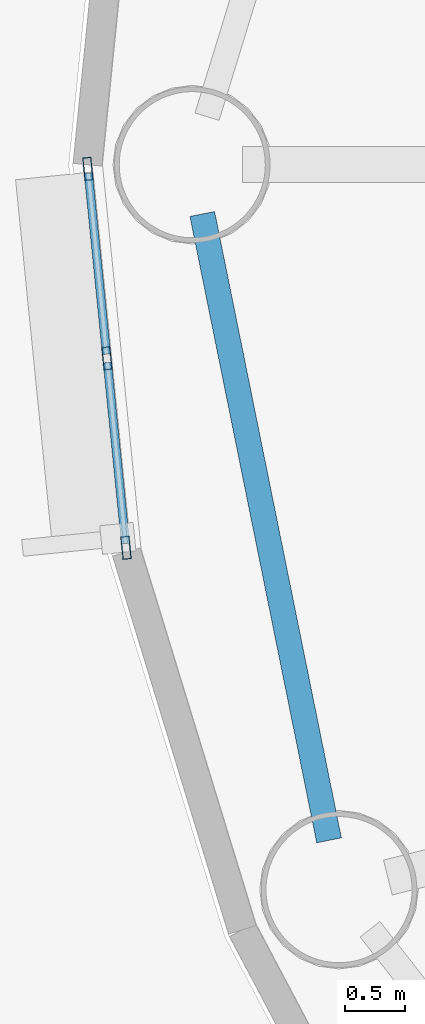
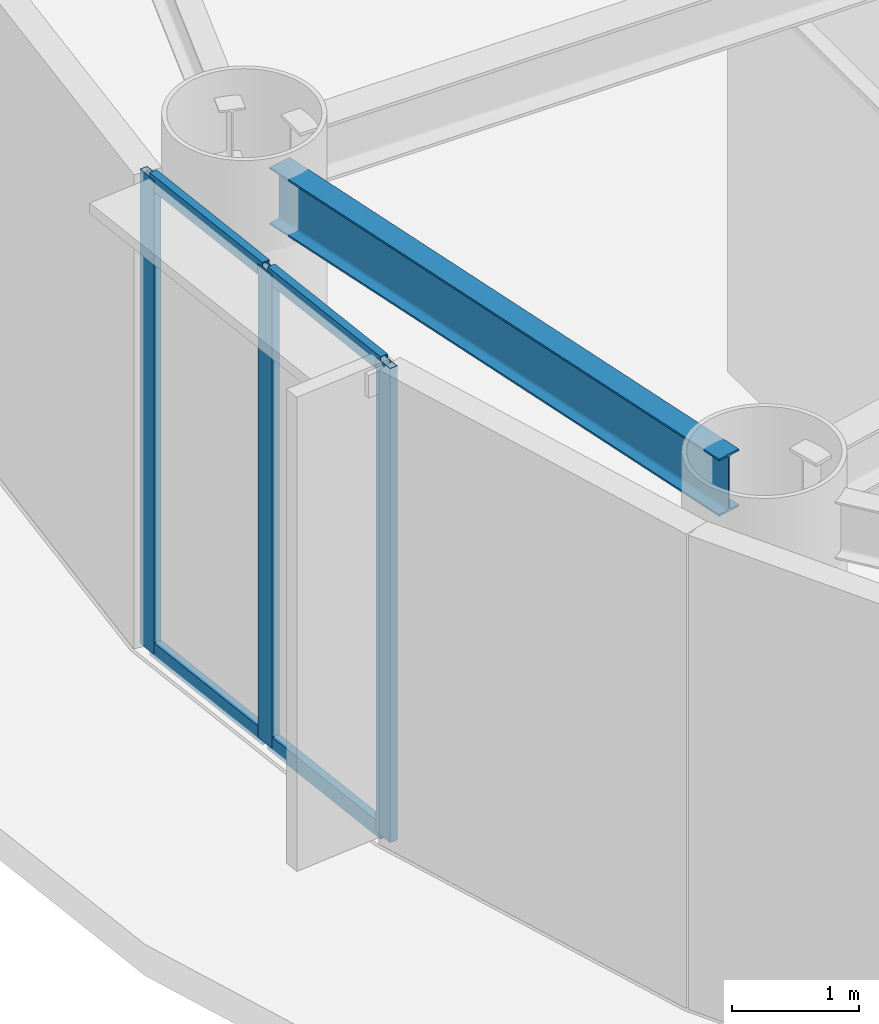
# One storey, part 8 of 38: 7 members, 1 beam, 1 element without a shape of its own.
"""IFC4 building model written with IfcOpenShell, lengths in metres."""

import ifcopenshell
import ifcopenshell.guid

model = None  # the IFC model being written
_history = None  # IfcOwnerHistory: only IFC2X3 demands one
_inside = {}  # id of a spatial element -> (the spatial element, [elements in it])
_under = {}  # id of a project, library or spatial element -> (it, [spatial elements below it])
_declared = {}  # id of a project -> (the project, [libraries it declares])
_typed = {}  # id of a type object -> (the type object, [elements of that type])
_made_of = {}  # id of a material, layer set ... -> (it, [elements and type objects made of it])


def new_model(schema):
    """Start an empty IFC model of exactly this schema.

    Asked for "IFC4X3", IfcOpenShell would pick the latest addendum, in which some entities
    have other attributes; the version numbers below select the first issue.
    IFC2X3 requires an IfcOwnerHistory on every rooted entity: one is made here for all.
    """
    global model, _history
    if schema == "IFC4X3":
        model = ifcopenshell.file(schema_version=(4, 3, 0, 0))
    else:
        model = ifcopenshell.file(schema=schema)
    _inside.clear()
    _under.clear()
    _declared.clear()
    _typed.clear()
    _made_of.clear()
    _history = None
    if model.schema == "IFC2X3":
        org = make("IfcOrganization", Name="unknown")
        user = make(
            "IfcPersonAndOrganization",
            ThePerson=make("IfcPerson", FamilyName="unknown"),
            TheOrganization=org,
        )
        app = make(
            "IfcApplication",
            ApplicationDeveloper=org,
            Version="unknown",
            ApplicationFullName="unknown",
            ApplicationIdentifier="unknown",
        )
        _history = make(
            "IfcOwnerHistory",
            OwningUser=user,
            OwningApplication=app,
            ChangeAction="ADDED",
            CreationDate=0,
        )
    return model


def make(cls, **values):
    """One entity of the class cls with the attributes given. An attribute that is None is left unset."""
    return model.create_entity(
        cls, **{name: value for name, value in values.items() if value is not None}
    )


def rooted(cls, **values):
    """An entity with a GlobalId (a new one), such as an element, a storey or a relation."""
    return make(cls, GlobalId=ifcopenshell.guid.new(), OwnerHistory=_history, **values)


def si_unit(unit_type, name, prefix=None):
    """IfcSIUnit, for example si_unit("LENGTHUNIT", "METRE", prefix="MILLI")."""
    return make("IfcSIUnit", UnitType=unit_type, Prefix=prefix, Name=name)


def assignment(units):
    """IfcUnitAssignment: the units of a project."""
    return None if units is None else make("IfcUnitAssignment", Units=units)


def point(xyz):
    """IfcCartesianPoint."""
    return None if xyz is None else make("IfcCartesianPoint", Coordinates=xyz)


def direction(xyz):
    """IfcDirection."""
    return None if xyz is None else make("IfcDirection", DirectionRatios=xyz)


def frame(location, z_axis=None, x_axis=None):
    """IfcAxis2Placement3D, a coordinate frame: its origin and axes. An axis left out is left unset."""
    return make(
        "IfcAxis2Placement3D",
        Location=point(location),
        Axis=direction(z_axis),
        RefDirection=direction(x_axis),
    )


def frame_2d(location, x_axis=None):
    """IfcAxis2Placement2D, a coordinate frame in the plane: its origin and x axis."""
    return make(
        "IfcAxis2Placement2D", Location=point(location), RefDirection=direction(x_axis)
    )


def origin():
    """The frame at (0, 0, 0) with its axes left unset."""
    return frame((0.0, 0.0, 0.0))


def origin_2d():
    """The frame at (0, 0) in the plane with its x axis left unset."""
    return frame_2d((0.0, 0.0))


def place(relative_to, where):
    """IfcLocalPlacement: puts the frame where relative to a parent placement (None: the world)."""
    return make(
        "IfcLocalPlacement", PlacementRelTo=relative_to, RelativePlacement=where
    )


def context(
    kind, dimensions, precision=None, world=None, true_north=None, identifier=None
):
    """IfcGeometricRepresentationContext, for example the 3D "Model" context."""
    return make(
        "IfcGeometricRepresentationContext",
        ContextIdentifier=identifier,
        ContextType=kind,
        CoordinateSpaceDimension=dimensions,
        Precision=precision,
        WorldCoordinateSystem=world,
        TrueNorth=true_north,
    )


def subcontext(parent, identifier, kind, view, scale=None):
    """IfcGeometricRepresentationSubContext, for example "Body" below "Model"."""
    return make(
        "IfcGeometricRepresentationSubContext",
        ContextIdentifier=identifier,
        ContextType=kind,
        ParentContext=parent,
        TargetScale=scale,
        TargetView=view,
    )


def project(units=None, contexts=None):
    """IfcProject with its units and contexts."""
    return rooted(
        "IfcProject",
        Name="project",
        RepresentationContexts=contexts,
        UnitsInContext=assignment(units),
    )


def spatial(cls, under=None, at=None, **own):
    """A site, building, storey or space (cls), placed at a placement, below another one or the project."""
    s = rooted(cls, ObjectPlacement=at, **own)
    if under is not None:
        _under.setdefault(under.id(), (under, []))[1].append(s)
    return s


def profile(cls, at=None, kind="AREA", **sizes):
    """A parametric profile (cls). Its sizes go by their IFC names, for example OverallWidth=200.0."""
    return make(cls, ProfileType=kind, Position=at, **sizes)


def hollow_rectangle(**sizes):
    """IfcRectangleHollowProfileDef."""
    return profile("IfcRectangleHollowProfileDef", **sizes)


def i_section(**sizes):
    """IfcIShapeProfileDef."""
    return profile("IfcIShapeProfileDef", **sizes)


def extrude(swept, where, along, depth):
    """IfcExtrudedAreaSolid: the profile swept, set in the frame where, extruded along a direction by depth."""
    return make(
        "IfcExtrudedAreaSolid",
        SweptArea=swept,
        Position=where,
        ExtrudedDirection=direction(along),
        Depth=depth,
    )


def shape(context_of_items, identifier, shape_type, items):
    """IfcShapeRepresentation: the items that make up one representation, for example the "Body"."""
    return make(
        "IfcShapeRepresentation",
        ContextOfItems=context_of_items,
        RepresentationIdentifier=identifier,
        RepresentationType=shape_type,
        Items=items,
    )


def source(mapping_origin, context_of_items, identifier, shape_type, items):
    """IfcRepresentationMap: a shape defined once, which mapped items show again and again."""
    return make(
        "IfcRepresentationMap",
        MappingOrigin=mapping_origin,
        MappedRepresentation=shape(context_of_items, identifier, shape_type, items),
    )


def transform(
    local_origin,
    x_axis=None,
    y_axis=None,
    z_axis=None,
    scale=None,
    scale2=None,
    scale3=None,
    uniform=True,
):
    """IfcCartesianTransformationOperator3D, or its non-uniform kind. x_axis, y_axis, z_axis: its Axis1, 2, 3."""
    if uniform:
        return make(
            "IfcCartesianTransformationOperator3D",
            Axis1=direction(x_axis),
            Axis2=direction(y_axis),
            LocalOrigin=point(local_origin),
            Scale=scale,
            Axis3=direction(z_axis),
        )
    return make(
        "IfcCartesianTransformationOperator3DnonUniform",
        Axis1=direction(x_axis),
        Axis2=direction(y_axis),
        LocalOrigin=point(local_origin),
        Scale=scale,
        Axis3=direction(z_axis),
        Scale2=scale2,
        Scale3=scale3,
    )


def mapped(mapping_source, mapping_target):
    """IfcMappedItem: shows the shape of a source again, moved by a transform."""
    return make(
        "IfcMappedItem", MappingSource=mapping_source, MappingTarget=mapping_target
    )


def material(Name=None, Category=None):
    """IfcMaterial."""
    return make("IfcMaterial", Name=Name, Category=Category)


def layer(
    of_material, thickness, ventilated=None, Name=None, Category=None, Priority=None
):
    """IfcMaterialLayer: one layer of a wall or slab, of a material (None: an air gap)."""
    return make(
        "IfcMaterialLayer",
        Material=of_material,
        LayerThickness=thickness,
        IsVentilated=ventilated,
        Name=Name,
        Category=Category,
        Priority=Priority,
    )


def layer_set(layers, Name=None):
    """IfcMaterialLayerSet."""
    return make("IfcMaterialLayerSet", MaterialLayers=layers, LayerSetName=Name)


def material_profile(
    of_material, cross_section, Name=None, Category=None, Priority=None
):
    """IfcMaterialProfile: a cross section and its material."""
    return make(
        "IfcMaterialProfile",
        Name=Name,
        Material=of_material,
        Profile=cross_section,
        Priority=Priority,
        Category=Category,
    )


def profile_set(profiles, Name=None, composite=None):
    """IfcMaterialProfileSet."""
    return make(
        "IfcMaterialProfileSet",
        Name=Name,
        MaterialProfiles=profiles,
        CompositeProfile=composite,
    )


def made_of(thing, what):
    """Note that an element or type object is made of a material, layer set ...; save() writes the relation."""
    if what is not None:
        _made_of.setdefault(what.id(), (what, []))[1].append(thing)
    return thing


def type_object(cls, material=None, **own):
    """A type object (cls), such as IfcWallType, which elements share."""
    return made_of(rooted(cls, **own), material)


def element(
    cls,
    number,
    at=None,
    inside=None,
    cuts=None,
    type_object=None,
    material=None,
    context=None,
    identifier="Body",
    shape_type=None,
    held_by="IfcProductDefinitionShape",
    body=None,
    shapes=None,
    **own,
):
    """One element of the class cls, such as IfcWall. Its Tag is "e" and its number.

    at: its placement. inside: the storey or other place that contains it. cuts: it is an
    opening in that element (IfcRelVoidsElement). A single representation is given by context,
    identifier, shape_type and body (its items); several are given by shapes. held_by: the class
    of the entity that holds the representations. save() writes the other relations.
    """
    e = rooted(cls, Tag="e%d" % number, ObjectPlacement=at, **own)
    if body is not None:
        shapes = [shape(context, identifier, shape_type, body)]
    if shapes is not None:
        e.Representation = make(held_by, Representations=shapes)
    if inside is not None:
        _inside.setdefault(inside.id(), (inside, []))[1].append(e)
    if cuts is not None:
        rooted(
            "IfcRelVoidsElement", RelatingBuildingElement=cuts, RelatedOpeningElement=e
        )
    if type_object is not None:
        _typed.setdefault(type_object.id(), (type_object, []))[1].append(e)
    return made_of(e, material)


def aggregate(whole, parts):
    """IfcRelAggregates: a whole, such as a stair, and the parts it consists of."""
    return rooted("IfcRelAggregates", RelatingObject=whole, RelatedObjects=parts)


def save(model, path):
    """Write the relations noted so far, then the file.

    IfcRelAggregates (storeys below a building ...), IfcRelContainedInSpatialStructure (elements
    in a storey), IfcRelDefinesByType, IfcRelAssociatesMaterial and IfcRelDeclares: one each for
    every whole, place, type object, material and project.
    """
    for whole, parts in _under.values():
        aggregate(whole, parts)
    for where, things in _inside.values():
        rooted(
            "IfcRelContainedInSpatialStructure",
            RelatedElements=things,
            RelatingStructure=where,
        )
    for kind, things in _typed.values():
        rooted("IfcRelDefinesByType", RelatedObjects=things, RelatingType=kind)
    for what, things in _made_of.values():
        rooted("IfcRelAssociatesMaterial", RelatedObjects=things, RelatingMaterial=what)
    for by, libraries in _declared.values():
        rooted("IfcRelDeclares", RelatingContext=by, RelatedDefinitions=libraries)
    model.write(path)


model = new_model("IFC4")

# Units and contexts
model_context = context("Model", 3, precision=1e-05, world=origin(), true_north=direction((0.0, 1.0)))
body_context = subcontext(model_context, "Body", "Model", "MODEL_VIEW")
ifc_project = project(units=[si_unit("LENGTHUNIT", "METRE"), si_unit("AREAUNIT", "SQUARE_METRE"), si_unit("VOLUMEUNIT", "CUBIC_METRE"), si_unit("PLANEANGLEUNIT", "RADIAN"), si_unit("MASSUNIT", "GRAM", prefix="KILO")], contexts=[model_context])

# Site, building, storey
site_placement = place(None, origin())
site = spatial("IfcSite", under=ifc_project, at=site_placement, CompositionType="ELEMENT")
building_placement = place(site_placement, origin())
building = spatial("IfcBuilding", under=site, at=building_placement, Name="Linh Dai School and Residence Tower", CompositionType="ELEMENT")
storey_placement = place(building_placement, frame((0.0, 0.0, 151.35009765625)))
storey = spatial("IfcBuildingStorey", under=building, at=storey_placement, Name="L36", CompositionType="ELEMENT", Elevation=151.35009765625)

# Beam
ifc_material_1 = material(Name="Structural Steel S355JR", Category="steel")
ifc_material_profile_1 = material_profile(ifc_material_1, i_section(OverallWidth=0.2099609375, OverallDepth=0.550048828125, WebThickness=0.010986328125, FlangeThickness=0.01708984375, FilletRadius=0.02392578125, at=origin_2d()), Name="IPE 550")
ifc_profile_set_1 = profile_set([ifc_material_profile_1], Name="Structural Steel S355JR")
beam_type = type_object("IfcBeamType", Name="BM-RB55", PredefinedType="BEAM", material=ifc_profile_set_1)
beam_placement = place(storey_placement, frame((10.4833984375, 26.58837890625, 4.27490234375), z_axis=(0.198420723955, -0.980116940117, 0.0), x_axis=(0.980116940117, 0.198420723955, 0.0)))
element("IfcBeam", 1, at=beam_placement, inside=storey, type_object=beam_type, Name="L36 Perimeter Elliptical Ring Beam 09", PredefinedType="BEAM", context=body_context, shape_type="SweptSolid", body=[
    extrude(i_section(OverallWidth=0.2099609375, OverallDepth=0.550048828125, WebThickness=0.010986328125, FlangeThickness=0.01708984375, FilletRadius=0.02392578125, at=origin_2d()), origin(), (0.0, 0.0, 1.0), 5.33642578125),
])

# Curtain wall, members
ifc_material_2 = material(Name="Aluminium Anodised Curtain Wall", Category="aluminium")
ifc_layer = layer(ifc_material_2, 0.18994140625)
ifc_layer_set = layer_set([ifc_layer], Name="Aluminium Anodised Curtain Wall")
curtain_wall_type = type_object("IfcCurtainWallType", Name="CW-SYS-5", PredefinedType="USERDEFINED", material=ifc_layer_set)
curtain_wall_placement = place(storey_placement, origin())
curtain_wall = element("IfcCurtainWall", 2, at=curtain_wall_placement, inside=storey, type_object=curtain_wall_type, Name="L36 CW5 Curtain Wall 21", ObjectType="UNITISED CURTAIN WALL", PredefinedType="USERDEFINED")
ifc_material_3 = material(Name="Aluminium Alloy 6063-T6", Category="aluminium")
ifc_material_profile_2 = material_profile(ifc_material_3, hollow_rectangle(XDim=0.070068359375, YDim=0.18994140625, WallThickness=0.00390625, at=origin_2d()), Name="RHS 190x70x4")
ifc_profile_set_2 = profile_set([ifc_material_profile_2], Name="Aluminium Alloy 6063-T6")
member_type_1 = type_object("IfcMemberType", Name="CW-SYS-5-MUL", PredefinedType="MULLION", material=ifc_profile_set_2)
shared_shape_1 = source(origin(), body_context, "Body", "SweptSolid", [
    extrude(hollow_rectangle(XDim=0.070068359375, YDim=0.18994140625, WallThickness=0.00390625, at=origin_2d()), origin(), (0.0, 0.0, 1.0), 4.5498046875),
])
member_1_placement = place(storey_placement, frame((9.846435546875, 23.801025390625, 0.0), z_axis=(0.0, 0.0, 1.0), x_axis=(-0.994987256586, -0.100001796141, 0.0)))
member_1 = element("IfcMember", 3, at=member_1_placement, type_object=member_type_1, Name="CW5 mullion 1", PredefinedType="MULLION", context=body_context, shape_type="MappedRepresentation", body=[
    mapped(shared_shape_1, transform((0.0, 0.0, 0.0), x_axis=(1.0, 0.0, 0.0), y_axis=(0.0, 1.0, 0.0), z_axis=(0.0, 0.0, 1.0), scale=1.0)),
])
member_2_placement = place(storey_placement, frame((9.6875, 25.383056640625, 0.0), z_axis=(0.0, 0.0, 1.0), x_axis=(-0.994987256586, -0.100001796141, 0.0)))
member_2 = element("IfcMember", 4, at=member_2_placement, type_object=member_type_1, Name="CW5 mullion 2", PredefinedType="MULLION", context=body_context, shape_type="MappedRepresentation", body=[
    mapped(shared_shape_1, transform((0.0, 0.0, 0.0), x_axis=(1.0, 0.0, 0.0), y_axis=(0.0, 1.0, 0.0), z_axis=(0.0, 0.0, 1.0), scale=1.0)),
])
member_3_placement = place(storey_placement, frame((9.528564453125, 26.965087890625, 0.0), z_axis=(0.0, 0.0, 1.0), x_axis=(-0.994987256586, -0.100001796141, 0.0)))
member_3 = element("IfcMember", 5, at=member_3_placement, type_object=member_type_1, Name="CW5 mullion 3", PredefinedType="MULLION", context=body_context, shape_type="MappedRepresentation", body=[
    mapped(shared_shape_1, transform((0.0, 0.0, 0.0), x_axis=(1.0, 0.0, 0.0), y_axis=(0.0, 1.0, 0.0), z_axis=(0.0, 0.0, 1.0), scale=1.0)),
])
ifc_material_profile_3 = material_profile(ifc_material_3, hollow_rectangle(XDim=0.070068359375, YDim=0.14990234375, WallThickness=0.00390625, at=origin_2d()), Name="RHS 150x70x4")
ifc_profile_set_3 = profile_set([ifc_material_profile_3], Name="Aluminium Alloy 6063-T6")
member_type_2 = type_object("IfcMemberType", Name="CW-SYS-5-TRN", PredefinedType="USERDEFINED", material=ifc_profile_set_3)
shared_shape_2 = source(origin(), body_context, "Body", "SweptSolid", [
    extrude(hollow_rectangle(XDim=0.070068359375, YDim=0.14990234375, WallThickness=0.00390625, at=origin_2d()), origin(), (0.0, 0.0, 1.0), 1.52001953125),
])
member_4_placement = place(storey_placement, frame((9.843017578125, 23.8359375, 0.034912109375), z_axis=(-0.10006027412, 0.994981377486, 0.0), x_axis=(-0.994981377486, -0.10006027412, 0.0)))
member_4 = element("IfcMember", 6, at=member_4_placement, type_object=member_type_2, Name="CW5 transom 1.1", ObjectType="TRANSOM", PredefinedType="USERDEFINED", context=body_context, shape_type="MappedRepresentation", body=[
    mapped(shared_shape_2, transform((0.0, 0.0, 0.0), x_axis=(1.0, 0.0, 0.0), y_axis=(0.0, 1.0, 0.0), z_axis=(0.0, 0.0, 1.0), scale=1.0)),
])
member_5_placement = place(storey_placement, frame((9.843017578125, 23.8359375, 4.514892578125), z_axis=(-0.10006027412, 0.994981377486, 0.0), x_axis=(-0.994981377486, -0.10006027412, 0.0)))
member_5 = element("IfcMember", 7, at=member_5_placement, type_object=member_type_2, Name="CW5 transom 1.2", ObjectType="TRANSOM", PredefinedType="USERDEFINED", context=body_context, shape_type="MappedRepresentation", body=[
    mapped(shared_shape_2, transform((0.0, 0.0, 0.0), x_axis=(1.0, 0.0, 0.0), y_axis=(0.0, 1.0, 0.0), z_axis=(0.0, 0.0, 1.0), scale=1.0)),
])
member_6_placement = place(storey_placement, frame((9.68408203125, 25.41796875, 0.034912109375), z_axis=(-0.10006027412, 0.994981377486, 0.0), x_axis=(-0.994981377486, -0.10006027412, 0.0)))
member_6 = element("IfcMember", 8, at=member_6_placement, type_object=member_type_2, Name="CW5 transom 2.1", ObjectType="TRANSOM", PredefinedType="USERDEFINED", context=body_context, shape_type="MappedRepresentation", body=[
    mapped(shared_shape_2, transform((0.0, 0.0, 0.0), x_axis=(1.0, 0.0, 0.0), y_axis=(0.0, 1.0, 0.0), z_axis=(0.0, 0.0, 1.0), scale=1.0)),
])
member_7_placement = place(storey_placement, frame((9.68408203125, 25.41796875, 4.514892578125), z_axis=(-0.10006027412, 0.994981377486, 0.0), x_axis=(-0.994981377486, -0.10006027412, 0.0)))
member_7 = element("IfcMember", 9, at=member_7_placement, type_object=member_type_2, Name="CW5 transom 2.2", ObjectType="TRANSOM", PredefinedType="USERDEFINED", context=body_context, shape_type="MappedRepresentation", body=[
    mapped(shared_shape_2, transform((0.0, 0.0, 0.0), x_axis=(1.0, 0.0, 0.0), y_axis=(0.0, 1.0, 0.0), z_axis=(0.0, 0.0, 1.0), scale=1.0)),
])
aggregate(curtain_wall, [member_1, member_2, member_3, member_4, member_5, member_6, member_7])

save(model, "model.ifc")
